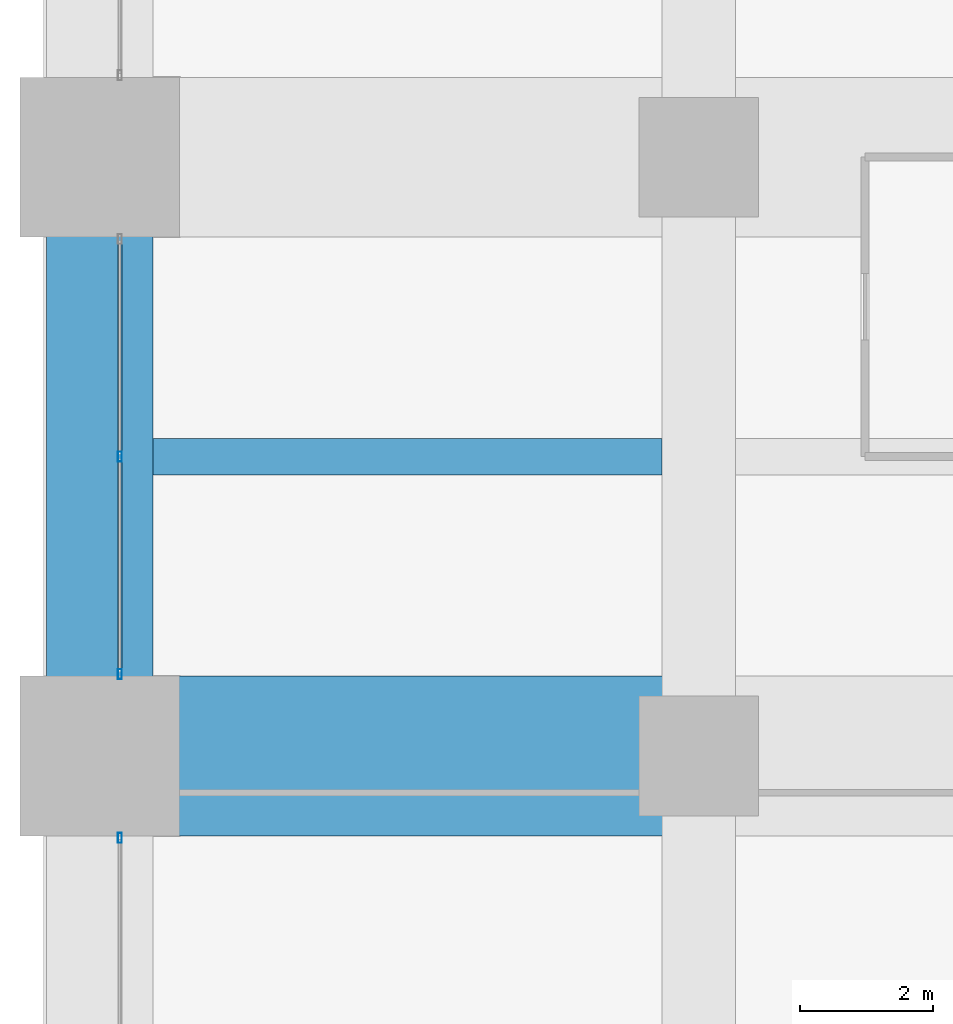
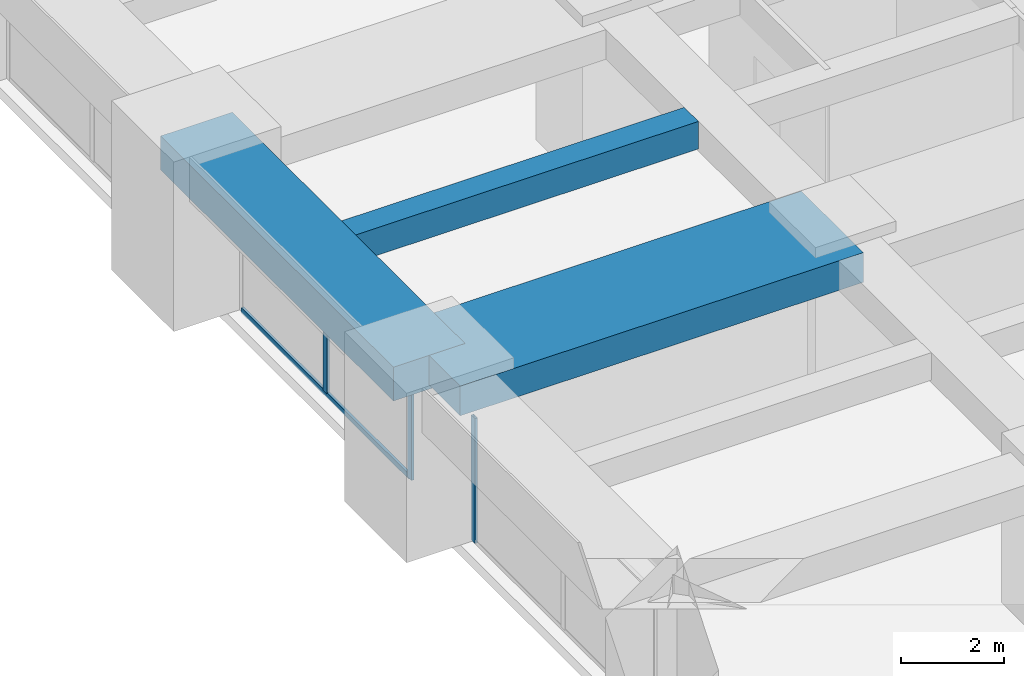
# One storey, part 9 of 42: 4 members, 3 beams, 2 elements without a shape of their own.
"""IFC4 building model written with IfcOpenShell, lengths in metres."""

from ifc_helpers import new_model, si_unit, direction, frame, origin, origin_2d, place, context, subcontext, project, spatial, rectangle, hollow_rectangle, extrude, material, material_profile, profile_set, type_object, element, aggregate, save


model = new_model("IFC4")

# Units and contexts
model_context = context("Model", 3, precision=1e-05, world=origin(), true_north=direction((0.0, 1.0)))
body_context = subcontext(model_context, "Body", "Model", "MODEL_VIEW")
ifc_project = project(units=[si_unit("LENGTHUNIT", "METRE"), si_unit("AREAUNIT", "SQUARE_METRE"), si_unit("VOLUMEUNIT", "CUBIC_METRE"), si_unit("PLANEANGLEUNIT", "RADIAN"), si_unit("MASSUNIT", "GRAM", prefix="KILO")], contexts=[model_context])

# Site, building, storey
site_placement = place(None, origin())
site = spatial("IfcSite", under=ifc_project, at=site_placement, CompositionType="ELEMENT")
building_placement = place(site_placement, origin())
building = spatial("IfcBuilding", under=site, at=building_placement, Name="Zorevar Civic Tower", CompositionType="ELEMENT")
storey_placement = place(building_placement, frame((0.0, 0.0, 149.0)))
storey = spatial("IfcBuildingStorey", under=building, at=storey_placement, Name="L36", CompositionType="ELEMENT", Elevation=149.0)

# Beams
ifc_material_1 = material(Name="Concrete C50/60", Category="concrete")
ifc_material_profile_1 = material_profile(ifc_material_1, rectangle(XDim=2.39990234375, YDim=0.699951171875, at=origin_2d()), Name="RC 2400x700")
ifc_profile_set_1 = profile_set([ifc_material_profile_1], Name="Concrete C50/60")
beam_type_1 = type_object("IfcBeamType", Name="Beam RC 2400x700", PredefinedType="BEAM", material=ifc_profile_set_1)
beam_1_placement = place(storey_placement, frame((0.0, 18.0, 3.39990234375), z_axis=(1.0, 0.0, 0.0), x_axis=(0.0, 1.0, 0.0)))
element("IfcBeam", 1, at=beam_1_placement, inside=storey, type_object=beam_type_1, Name="Girder L37", PredefinedType="BEAM", context=body_context, shape_type="SweptSolid", body=[
    extrude(rectangle(XDim=2.39990234375, YDim=0.699951171875, at=origin_2d()), origin(), (0.0, 0.0, 1.0), 9.0),
])
ifc_material_2 = material(Name="Concrete C50/60", Category="concrete")
ifc_material_profile_2 = material_profile(ifc_material_2, rectangle(XDim=0.550048828125, YDim=0.64990234375, at=origin_2d()), Name="RC 550x650")
ifc_profile_set_2 = profile_set([ifc_material_profile_2], Name="Concrete C50/60")
beam_type_2 = type_object("IfcBeamType", Name="Beam RC 550x650", PredefinedType="BEAM", material=ifc_profile_set_2)
beam_2_placement = place(storey_placement, frame((0.800048828125, 22.5, 3.425048828125), z_axis=(1.0, 0.0, 0.0), x_axis=(0.0, 1.0, 0.0)))
element("IfcBeam", 2, at=beam_2_placement, inside=storey, type_object=beam_type_2, Name="Secondary beam L37", PredefinedType="BEAM", context=body_context, shape_type="SweptSolid", body=[
    extrude(rectangle(XDim=0.550048828125, YDim=0.64990234375, at=origin_2d()), origin(), (0.0, 0.0, 1.0), 7.64990234375),
])

# Curtain wall, member
ifc_material_3 = material(Name="Dark grey solar-control glass in black aluminium frame", Category="aluminium")
curtain_wall_type = type_object("IfcCurtainWallType", Name="Curtain wall CW3 mid zone", PredefinedType="NOTDEFINED", material=ifc_material_3)
curtain_wall_1_placement = place(storey_placement, origin())
curtain_wall_1 = element("IfcCurtainWall", 3, at=curtain_wall_1_placement, inside=storey, type_object=curtain_wall_type, Name="CW3 L36", PredefinedType="NOTDEFINED")
ifc_material_4 = material(Name="Aluminium, black anodised", Category="aluminium")
ifc_material_profile_3 = material_profile(ifc_material_4, hollow_rectangle(XDim=0.06005859375, YDim=0.14990234375, WallThickness=0.00390625, at=origin_2d()), Name="AL 150x60x4")
ifc_profile_set_3 = profile_set([ifc_material_profile_3], Name="Aluminium, black anodised")
member_type_1 = type_object("IfcMemberType", Name="CW3 mullion AL 150x60x4", PredefinedType="MULLION", material=ifc_profile_set_3)
member_1_placement = place(storey_placement, frame((0.300048828125, 16.77001953125, 0.0), z_axis=(0.0, 0.0, 1.0), x_axis=(-1.0, 0.0, 0.0)))
member_1 = element("IfcMember", 4, at=member_1_placement, type_object=member_type_1, Name="CW3 mullion 3", PredefinedType="MULLION", context=body_context, shape_type="SweptSolid", body=[
    extrude(hollow_rectangle(XDim=0.06005859375, YDim=0.14990234375, WallThickness=0.00390625, at=origin_2d()), origin(), (0.0, 0.0, 1.0), 2.949951171875),
])
aggregate(curtain_wall_1, [member_1])

# Curtain wall, members
curtain_wall_2_placement = place(storey_placement, origin())
curtain_wall_2 = element("IfcCurtainWall", 5, at=curtain_wall_2_placement, inside=storey, type_object=curtain_wall_type, Name="CW3 L36", PredefinedType="NOTDEFINED")
member_2_placement = place(storey_placement, frame((0.300048828125, 19.22998046875, 0.0), z_axis=(0.0, 0.0, 1.0), x_axis=(-1.0, 0.0, 0.0)))
member_2 = element("IfcMember", 6, at=member_2_placement, type_object=member_type_1, Name="CW3 mullion 1", PredefinedType="MULLION", context=body_context, shape_type="SweptSolid", body=[
    extrude(hollow_rectangle(XDim=0.06005859375, YDim=0.14990234375, WallThickness=0.00390625, at=origin_2d()), origin(), (0.0, 0.0, 1.0), 2.949951171875),
])
member_3_placement = place(storey_placement, frame((0.300048828125, 22.5, 0.06005859375), z_axis=(0.0, 0.0, 1.0), x_axis=(-1.0, 0.0, 0.0)))
member_3 = element("IfcMember", 7, at=member_3_placement, type_object=member_type_1, Name="CW3 mullion 2", PredefinedType="MULLION", context=body_context, shape_type="SweptSolid", body=[
    extrude(hollow_rectangle(XDim=0.06005859375, YDim=0.14990234375, WallThickness=0.00390625, at=origin_2d()), origin(), (0.0, 0.0, 1.0), 2.889892578125),
])
ifc_material_5 = material(Name="Aluminium, black anodised", Category="aluminium")
ifc_material_profile_4 = material_profile(ifc_material_5, hollow_rectangle(XDim=0.06005859375, YDim=0.1201171875, WallThickness=0.0029296875, at=origin_2d()), Name="AL 120x60x3")
ifc_profile_set_4 = profile_set([ifc_material_profile_4], Name="Aluminium, black anodised")
member_type_2 = type_object("IfcMemberType", Name="CW3 transom AL 120x60x3", PredefinedType="USERDEFINED", material=ifc_profile_set_4)
member_4_placement = place(storey_placement, frame((0.300048828125, 19.260009765625, 0.030029296875), z_axis=(0.0, 1.0, 0.0), x_axis=(-1.0, 0.0, 0.0)))
member_4 = element("IfcMember", 8, at=member_4_placement, type_object=member_type_2, Name="CW3 sill transom", ObjectType="TRANSOM", PredefinedType="USERDEFINED", context=body_context, shape_type="SweptSolid", body=[
    extrude(hollow_rectangle(XDim=0.06005859375, YDim=0.1201171875, WallThickness=0.0029296875, at=origin_2d()), origin(), (0.0, 0.0, 1.0), 6.47998046875),
])
aggregate(curtain_wall_2, [member_2, member_3, member_4])

# Beam
ifc_material_6 = material(Name="Concrete C50/60", Category="concrete")
ifc_material_profile_5 = material_profile(ifc_material_6, rectangle(XDim=1.60009765625, YDim=0.800048828125, at=origin_2d()), Name="RC 1600x800")
ifc_profile_set_5 = profile_set([ifc_material_profile_5], Name="Concrete C50/60")
beam_type_3 = type_object("IfcBeamType", Name="Edge beam RC 1600x800", PredefinedType="SPANDREL", material=ifc_profile_set_5)
beam_3_placement = place(storey_placement, frame((0.0, 18.0, 3.35009765625), z_axis=(0.0, 1.0, 0.0), x_axis=(-1.0, 0.0, 0.0)))
element("IfcBeam", 9, at=beam_3_placement, inside=storey, type_object=beam_type_3, Name="Edge beam L37", PredefinedType="SPANDREL", context=body_context, shape_type="SweptSolid", body=[
    extrude(rectangle(XDim=1.60009765625, YDim=0.800048828125, at=origin_2d()), origin(), (0.0, 0.0, 1.0), 9.0),
])

save(model, "model.ifc")
